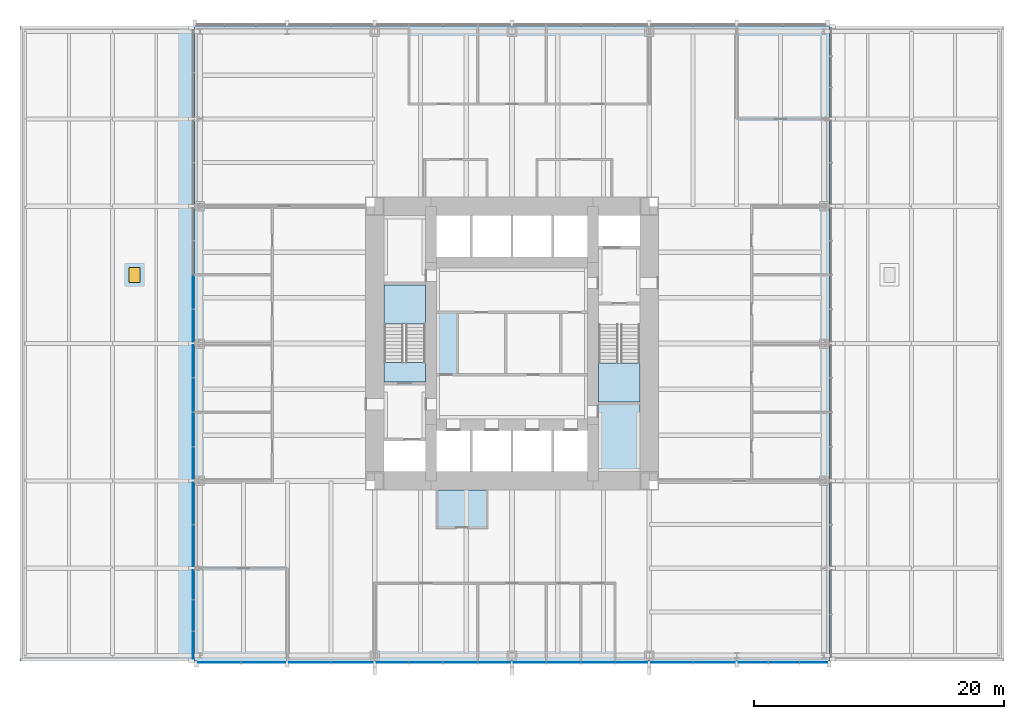
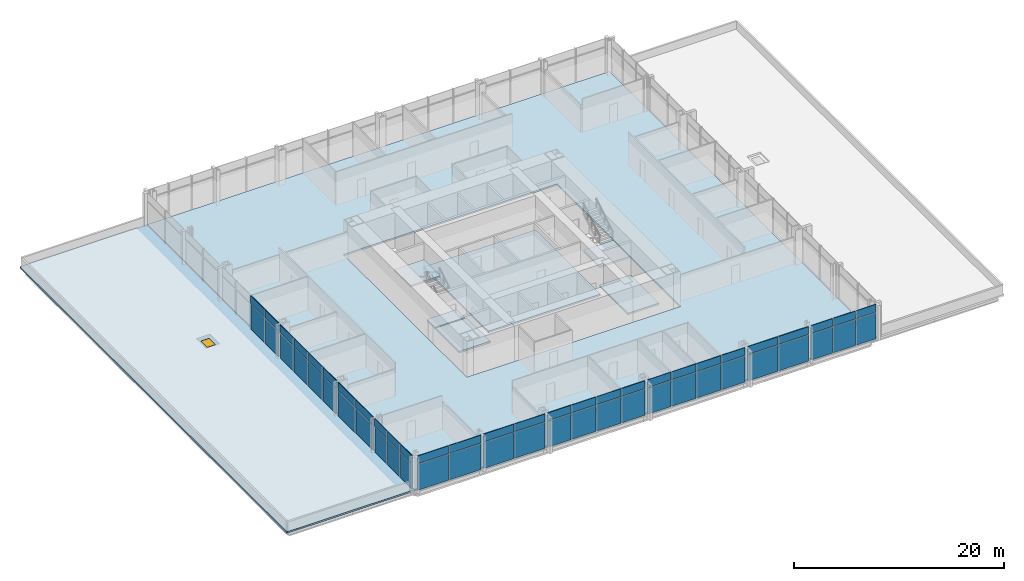
# One storey, part 9 of 15: 56 plates, 8 slabs, 1 window, 1 opening, 4 elements without a shape of their own.
"""IFC4 building model written with IfcOpenShell, lengths in metres."""

from ifc_helpers import new_model, si_unit, direction, frame, origin, origin_2d, place, context, subcontext, project, spatial, polyline, rectangle, outline, extrude, material, layer, layer_set, type_object, element, fill, aggregate, save


model = new_model("IFC4")

# Units and contexts
model_context = context("Model", 3, precision=1e-05, world=origin(), true_north=direction((0.0, 1.0)))
body_context = subcontext(model_context, "Body", "Model", "MODEL_VIEW")
ifc_project = project(units=[si_unit("LENGTHUNIT", "METRE"), si_unit("AREAUNIT", "SQUARE_METRE"), si_unit("VOLUMEUNIT", "CUBIC_METRE"), si_unit("PLANEANGLEUNIT", "RADIAN"), si_unit("MASSUNIT", "GRAM", prefix="KILO")], contexts=[model_context])

# Site, building, storey
site_placement = place(None, origin())
site = spatial("IfcSite", under=ifc_project, at=site_placement, CompositionType="ELEMENT")
building_placement = place(site_placement, origin())
building = spatial("IfcBuilding", under=site, at=building_placement, Name="Trevanion Tower", CompositionType="ELEMENT")
storey_placement = place(building_placement, frame((0.0, 0.0, 16.0)))
storey = spatial("IfcBuildingStorey", under=building, at=storey_placement, Name="L03", CompositionType="ELEMENT", Elevation=16.0)

# Curtain wall, plates
ifc_material_1 = material(Name="Aluminium and glass", Category="aluminium")
curtain_wall_type = type_object("IfcCurtainWallType", Name="CW1 curtain wall", PredefinedType="USERDEFINED", material=ifc_material_1)
curtain_wall_1_placement = place(storey_placement, origin())
curtain_wall_1 = element("IfcCurtainWall", 1, at=curtain_wall_1_placement, inside=storey, type_object=curtain_wall_type, Name="CW1 L03 2", ObjectType="UNITISED CURTAIN WALL", PredefinedType="USERDEFINED")
ifc_material_2 = material(Name="Aluminium spandrel panel", Category="aluminium")
ifc_layer_1 = layer(ifc_material_2, 0.06005859375)
ifc_layer_set_1 = layer_set([ifc_layer_1], Name="CW1 spandrel panel")
plate_type_1 = type_object("IfcPlateType", Name="CW1 spandrel panel", PredefinedType="CURTAIN_PANEL", material=ifc_layer_set_1)
plate_1_placement = place(storey_placement, frame((-25.550048828125, 4.125, 2.997314453125), z_axis=(0.0, 0.0, 1.0), x_axis=(0.0, -1.0, 0.0)))
plate_1 = element("IfcPlate", 2, at=plate_1_placement, type_object=plate_type_1, Name="CW1 panel 7.2", PredefinedType="CURTAIN_PANEL", context=body_context, shape_type="SweptSolid", body=[
    extrude(rectangle(XDim=2.675048828125, YDim=0.06005859375, at=origin_2d()), origin(), (0.0, 0.0, 1.0), 0.91259765625),
])
plate_2_placement = place(storey_placement, frame((-25.550048828125, 1.43115234375, 2.997314453125), z_axis=(0.0, 0.0, 1.0), x_axis=(0.0, -1.0, 0.0)))
plate_2 = element("IfcPlate", 3, at=plate_2_placement, type_object=plate_type_1, Name="CW1 panel 8.2", PredefinedType="CURTAIN_PANEL", context=body_context, shape_type="SweptSolid", body=[
    extrude(rectangle(XDim=2.5625, YDim=0.06005859375, at=origin_2d()), origin(), (0.0, 0.0, 1.0), 0.91259765625),
])
plate_3_placement = place(storey_placement, frame((-25.550048828125, -1.43115234375, 2.997314453125), z_axis=(0.0, 0.0, 1.0), x_axis=(0.0, -1.0, 0.0)))
plate_3 = element("IfcPlate", 4, at=plate_3_placement, type_object=plate_type_1, Name="CW1 panel 9.2", PredefinedType="CURTAIN_PANEL", context=body_context, shape_type="SweptSolid", body=[
    extrude(rectangle(XDim=2.5625, YDim=0.06005859375, at=origin_2d()), origin(), (0.0, 0.0, 1.0), 0.91259765625),
])
plate_4_placement = place(storey_placement, frame((-25.550048828125, -4.125, 2.997314453125), z_axis=(0.0, 0.0, 1.0), x_axis=(0.0, -1.0, 0.0)))
plate_4 = element("IfcPlate", 5, at=plate_4_placement, type_object=plate_type_1, Name="CW1 panel 10.2", PredefinedType="CURTAIN_PANEL", context=body_context, shape_type="SweptSolid", body=[
    extrude(rectangle(XDim=2.675048828125, YDim=0.06005859375, at=origin_2d()), origin(), (0.0, 0.0, 1.0), 0.91259765625),
])
plate_5_placement = place(storey_placement, frame((-25.550048828125, -6.875, 2.997314453125), z_axis=(0.0, 0.0, 1.0), x_axis=(0.0, -1.0, 0.0)))
plate_5 = element("IfcPlate", 6, at=plate_5_placement, type_object=plate_type_1, Name="CW1 panel 11.2", PredefinedType="CURTAIN_PANEL", context=body_context, shape_type="SweptSolid", body=[
    extrude(rectangle(XDim=2.675048828125, YDim=0.06005859375, at=origin_2d()), origin(), (0.0, 0.0, 1.0), 0.91259765625),
])
plate_6_placement = place(storey_placement, frame((-25.550048828125, -9.56884765625, 2.997314453125), z_axis=(0.0, 0.0, 1.0), x_axis=(0.0, -1.0, 0.0)))
plate_6 = element("IfcPlate", 7, at=plate_6_placement, type_object=plate_type_1, Name="CW1 panel 12.2", PredefinedType="CURTAIN_PANEL", context=body_context, shape_type="SweptSolid", body=[
    extrude(rectangle(XDim=2.5625, YDim=0.06005859375, at=origin_2d()), origin(), (0.0, 0.0, 1.0), 0.91259765625),
])
plate_7_placement = place(storey_placement, frame((-25.550048828125, -12.80615234375, 2.997314453125), z_axis=(0.0, 0.0, 1.0), x_axis=(0.0, -1.0, 0.0)))
plate_7 = element("IfcPlate", 8, at=plate_7_placement, type_object=plate_type_1, Name="CW1 panel 13.2", PredefinedType="CURTAIN_PANEL", context=body_context, shape_type="SweptSolid", body=[
    extrude(rectangle(XDim=3.3125, YDim=0.06005859375, at=origin_2d()), origin(), (0.0, 0.0, 1.0), 0.91259765625),
])
plate_8_placement = place(storey_placement, frame((-25.550048828125, -16.19384765625, 2.997314453125), z_axis=(0.0, 0.0, 1.0), x_axis=(0.0, -1.0, 0.0)))
plate_8 = element("IfcPlate", 9, at=plate_8_placement, type_object=plate_type_1, Name="CW1 panel 14.2", PredefinedType="CURTAIN_PANEL", context=body_context, shape_type="SweptSolid", body=[
    extrude(rectangle(XDim=3.3125, YDim=0.06005859375, at=origin_2d()), origin(), (0.0, 0.0, 1.0), 0.91259765625),
])
plate_9_placement = place(storey_placement, frame((-25.550048828125, -19.314697265625, 2.997314453125), z_axis=(0.0, 0.0, 1.0), x_axis=(0.0, -1.0, 0.0)))
plate_9 = element("IfcPlate", 10, at=plate_9_placement, type_object=plate_type_1, Name="CW1 panel 15.2", PredefinedType="CURTAIN_PANEL", context=body_context, shape_type="SweptSolid", body=[
    extrude(rectangle(XDim=2.3291015625, YDim=0.06005859375, at=origin_2d()), origin(), (0.0, 0.0, 1.0), 0.91259765625),
])
plate_10_placement = place(storey_placement, frame((-25.550048828125, -21.77490234375, 2.997314453125), z_axis=(0.0, 0.0, 1.0), x_axis=(0.0, -1.0, 0.0)))
plate_10 = element("IfcPlate", 11, at=plate_10_placement, type_object=plate_type_1, Name="CW1 panel 16.2", PredefinedType="CURTAIN_PANEL", context=body_context, shape_type="SweptSolid", body=[
    extrude(rectangle(XDim=2.441650390625, YDim=0.06005859375, at=origin_2d()), origin(), (0.0, 0.0, 1.0), 0.91259765625),
])
plate_11_placement = place(storey_placement, frame((-25.550048828125, -24.160400390625, 2.997314453125), z_axis=(0.0, 0.0, 1.0), x_axis=(0.0, -1.0, 0.0)))
plate_11 = element("IfcPlate", 12, at=plate_11_placement, type_object=plate_type_1, Name="CW1 panel 17.2", PredefinedType="CURTAIN_PANEL", context=body_context, shape_type="SweptSolid", body=[
    extrude(rectangle(XDim=2.17919921875, YDim=0.06005859375, at=origin_2d()), origin(), (0.0, 0.0, 1.0), 0.91259765625),
])

curtain_wall_2_placement = place(storey_placement, origin())
curtain_wall_2 = element("IfcCurtainWall", 13, at=curtain_wall_2_placement, inside=storey, type_object=curtain_wall_type, Name="CW1 L03 3", ObjectType="UNITISED CURTAIN WALL", PredefinedType="USERDEFINED")
plate_12_placement = place(storey_placement, frame((-23.433837890625, -25.550048828125, 2.997314453125), z_axis=(0.0, 0.0, 1.0), x_axis=(1.0, 0.0, 0.0)))
plate_12 = element("IfcPlate", 14, at=plate_12_placement, type_object=plate_type_1, Name="CW1 panel 1.2", PredefinedType="CURTAIN_PANEL", context=body_context, shape_type="SweptSolid", body=[
    extrude(rectangle(XDim=3.37255859375, YDim=0.06005859375, at=origin_2d()), origin(), (0.0, 0.0, 1.0), 0.91259765625),
])
plate_13_placement = place(storey_placement, frame((-19.911376953125, -25.550048828125, 2.997314453125), z_axis=(0.0, 0.0, 1.0), x_axis=(1.0, 0.0, 0.0)))
plate_13 = element("IfcPlate", 15, at=plate_13_placement, type_object=plate_type_1, Name="CW1 panel 2.2", PredefinedType="CURTAIN_PANEL", context=body_context, shape_type="SweptSolid", body=[
    extrude(rectangle(XDim=3.5224609375, YDim=0.06005859375, at=origin_2d()), origin(), (0.0, 0.0, 1.0), 0.91259765625),
])
plate_14_placement = place(storey_placement, frame((-16.19384765625, -25.550048828125, 2.997314453125), z_axis=(0.0, 0.0, 1.0), x_axis=(1.0, 0.0, 0.0)))
plate_14 = element("IfcPlate", 16, at=plate_14_placement, type_object=plate_type_1, Name="CW1 panel 3.2", PredefinedType="CURTAIN_PANEL", context=body_context, shape_type="SweptSolid", body=[
    extrude(rectangle(XDim=3.3125, YDim=0.06005859375, at=origin_2d()), origin(), (0.0, 0.0, 1.0), 0.91259765625),
])
plate_15_placement = place(storey_placement, frame((-12.806396484375, -25.550048828125, 2.997314453125), z_axis=(0.0, 0.0, 1.0), x_axis=(1.0, 0.0, 0.0)))
plate_15 = element("IfcPlate", 17, at=plate_15_placement, type_object=plate_type_1, Name="CW1 panel 4.2", PredefinedType="CURTAIN_PANEL", context=body_context, shape_type="SweptSolid", body=[
    extrude(rectangle(XDim=3.3125, YDim=0.06005859375, at=origin_2d()), origin(), (0.0, 0.0, 1.0), 0.91259765625),
])
plate_16_placement = place(storey_placement, frame((-9.56884765625, -25.550048828125, 2.997314453125), z_axis=(0.0, 0.0, 1.0), x_axis=(1.0, 0.0, 0.0)))
plate_16 = element("IfcPlate", 18, at=plate_16_placement, type_object=plate_type_1, Name="CW1 panel 5.2", PredefinedType="CURTAIN_PANEL", context=body_context, shape_type="SweptSolid", body=[
    extrude(rectangle(XDim=2.5625, YDim=0.06005859375, at=origin_2d()), origin(), (0.0, 0.0, 1.0), 0.91259765625),
])
plate_17_placement = place(storey_placement, frame((-6.875, -25.550048828125, 2.997314453125), z_axis=(0.0, 0.0, 1.0), x_axis=(1.0, 0.0, 0.0)))
plate_17 = element("IfcPlate", 19, at=plate_17_placement, type_object=plate_type_1, Name="CW1 panel 6.2", PredefinedType="CURTAIN_PANEL", context=body_context, shape_type="SweptSolid", body=[
    extrude(rectangle(XDim=2.675048828125, YDim=0.06005859375, at=origin_2d()), origin(), (0.0, 0.0, 1.0), 0.91259765625),
])
plate_18_placement = place(storey_placement, frame((-4.125, -25.550048828125, 2.997314453125), z_axis=(0.0, 0.0, 1.0), x_axis=(1.0, 0.0, 0.0)))
plate_18 = element("IfcPlate", 20, at=plate_18_placement, type_object=plate_type_1, Name="CW1 panel 7.2", PredefinedType="CURTAIN_PANEL", context=body_context, shape_type="SweptSolid", body=[
    extrude(rectangle(XDim=2.675048828125, YDim=0.06005859375, at=origin_2d()), origin(), (0.0, 0.0, 1.0), 0.91259765625),
])
plate_19_placement = place(storey_placement, frame((-1.43115234375, -25.550048828125, 2.997314453125), z_axis=(0.0, 0.0, 1.0), x_axis=(1.0, 0.0, 0.0)))
plate_19 = element("IfcPlate", 21, at=plate_19_placement, type_object=plate_type_1, Name="CW1 panel 8.2", PredefinedType="CURTAIN_PANEL", context=body_context, shape_type="SweptSolid", body=[
    extrude(rectangle(XDim=2.5625, YDim=0.06005859375, at=origin_2d()), origin(), (0.0, 0.0, 1.0), 0.91259765625),
])
plate_20_placement = place(storey_placement, frame((1.43115234375, -25.550048828125, 2.997314453125), z_axis=(0.0, 0.0, 1.0), x_axis=(1.0, 0.0, 0.0)))
plate_20 = element("IfcPlate", 22, at=plate_20_placement, type_object=plate_type_1, Name="CW1 panel 9.2", PredefinedType="CURTAIN_PANEL", context=body_context, shape_type="SweptSolid", body=[
    extrude(rectangle(XDim=2.5625, YDim=0.06005859375, at=origin_2d()), origin(), (0.0, 0.0, 1.0), 0.91259765625),
])
plate_21_placement = place(storey_placement, frame((4.125, -25.550048828125, 2.997314453125), z_axis=(0.0, 0.0, 1.0), x_axis=(1.0, 0.0, 0.0)))
plate_21 = element("IfcPlate", 23, at=plate_21_placement, type_object=plate_type_1, Name="CW1 panel 10.2", PredefinedType="CURTAIN_PANEL", context=body_context, shape_type="SweptSolid", body=[
    extrude(rectangle(XDim=2.675048828125, YDim=0.06005859375, at=origin_2d()), origin(), (0.0, 0.0, 1.0), 0.91259765625),
])
plate_22_placement = place(storey_placement, frame((6.875, -25.550048828125, 2.997314453125), z_axis=(0.0, 0.0, 1.0), x_axis=(1.0, 0.0, 0.0)))
plate_22 = element("IfcPlate", 24, at=plate_22_placement, type_object=plate_type_1, Name="CW1 panel 11.2", PredefinedType="CURTAIN_PANEL", context=body_context, shape_type="SweptSolid", body=[
    extrude(rectangle(XDim=2.675048828125, YDim=0.06005859375, at=origin_2d()), origin(), (0.0, 0.0, 1.0), 0.91259765625),
])
plate_23_placement = place(storey_placement, frame((9.56884765625, -25.550048828125, 2.997314453125), z_axis=(0.0, 0.0, 1.0), x_axis=(1.0, 0.0, 0.0)))
plate_23 = element("IfcPlate", 25, at=plate_23_placement, type_object=plate_type_1, Name="CW1 panel 12.2", PredefinedType="CURTAIN_PANEL", context=body_context, shape_type="SweptSolid", body=[
    extrude(rectangle(XDim=2.5625, YDim=0.06005859375, at=origin_2d()), origin(), (0.0, 0.0, 1.0), 0.91259765625),
])
plate_24_placement = place(storey_placement, frame((12.80615234375, -25.550048828125, 2.997314453125), z_axis=(0.0, 0.0, 1.0), x_axis=(1.0, 0.0, 0.0)))
plate_24 = element("IfcPlate", 26, at=plate_24_placement, type_object=plate_type_1, Name="CW1 panel 13.2", PredefinedType="CURTAIN_PANEL", context=body_context, shape_type="SweptSolid", body=[
    extrude(rectangle(XDim=3.3125, YDim=0.06005859375, at=origin_2d()), origin(), (0.0, 0.0, 1.0), 0.91259765625),
])
plate_25_placement = place(storey_placement, frame((16.19384765625, -25.550048828125, 2.997314453125), z_axis=(0.0, 0.0, 1.0), x_axis=(1.0, 0.0, 0.0)))
plate_25 = element("IfcPlate", 27, at=plate_25_placement, type_object=plate_type_1, Name="CW1 panel 14.2", PredefinedType="CURTAIN_PANEL", context=body_context, shape_type="SweptSolid", body=[
    extrude(rectangle(XDim=3.3125, YDim=0.06005859375, at=origin_2d()), origin(), (0.0, 0.0, 1.0), 0.91259765625),
])
plate_26_placement = place(storey_placement, frame((19.314697265625, -25.550048828125, 2.997314453125), z_axis=(0.0, 0.0, 1.0), x_axis=(1.0, 0.0, 0.0)))
plate_26 = element("IfcPlate", 28, at=plate_26_placement, type_object=plate_type_1, Name="CW1 panel 15.2", PredefinedType="CURTAIN_PANEL", context=body_context, shape_type="SweptSolid", body=[
    extrude(rectangle(XDim=2.3291015625, YDim=0.06005859375, at=origin_2d()), origin(), (0.0, 0.0, 1.0), 0.91259765625),
])
plate_27_placement = place(storey_placement, frame((21.77490234375, -25.550048828125, 2.997314453125), z_axis=(0.0, 0.0, 1.0), x_axis=(1.0, 0.0, 0.0)))
plate_27 = element("IfcPlate", 29, at=plate_27_placement, type_object=plate_type_1, Name="CW1 panel 16.2", PredefinedType="CURTAIN_PANEL", context=body_context, shape_type="SweptSolid", body=[
    extrude(rectangle(XDim=2.441650390625, YDim=0.06005859375, at=origin_2d()), origin(), (0.0, 0.0, 1.0), 0.91259765625),
])
plate_28_placement = place(storey_placement, frame((24.160400390625, -25.550048828125, 2.997314453125), z_axis=(0.0, 0.0, 1.0), x_axis=(1.0, 0.0, 0.0)))
plate_28 = element("IfcPlate", 30, at=plate_28_placement, type_object=plate_type_1, Name="CW1 panel 17.2", PredefinedType="CURTAIN_PANEL", context=body_context, shape_type="SweptSolid", body=[
    extrude(rectangle(XDim=2.17919921875, YDim=0.06005859375, at=origin_2d()), origin(), (0.0, 0.0, 1.0), 0.91259765625),
])

# Plate
ifc_material_3 = material(Name="Insulating glass unit", Category="glass")
ifc_layer_2 = layer(ifc_material_3, 0.028076171875)
ifc_layer_set_2 = layer_set([ifc_layer_2], Name="CW1 vision panel")
plate_type_2 = type_object("IfcPlateType", Name="CW1 vision panel", PredefinedType="CURTAIN_PANEL", material=ifc_layer_set_2)
plate_29_placement = place(storey_placement, frame((-25.550048828125, 4.125, -0.114990234375), z_axis=(0.0, 0.0, 1.0), x_axis=(0.0, -1.0, 0.0)))
plate_29 = element("IfcPlate", 31, at=plate_29_placement, type_object=plate_type_2, Name="CW1 panel 7.1", PredefinedType="CURTAIN_PANEL", context=body_context, shape_type="SweptSolid", body=[
    extrude(rectangle(XDim=2.675048828125, YDim=0.028076171875, at=origin_2d()), origin(), (0.0, 0.0, 1.0), 3.03759765625),
])

plate_30_placement = place(storey_placement, frame((-25.550048828125, 1.43115234375, -0.114990234375), z_axis=(0.0, 0.0, 1.0), x_axis=(0.0, -1.0, 0.0)))
plate_30 = element("IfcPlate", 32, at=plate_30_placement, type_object=plate_type_2, Name="CW1 panel 8.1", PredefinedType="CURTAIN_PANEL", context=body_context, shape_type="SweptSolid", body=[
    extrude(rectangle(XDim=2.5625, YDim=0.028076171875, at=origin_2d()), origin(), (0.0, 0.0, 1.0), 3.03759765625),
])

plate_31_placement = place(storey_placement, frame((-25.550048828125, -1.43115234375, -0.114990234375), z_axis=(0.0, 0.0, 1.0), x_axis=(0.0, -1.0, 0.0)))
plate_31 = element("IfcPlate", 33, at=plate_31_placement, type_object=plate_type_2, Name="CW1 panel 9.1", PredefinedType="CURTAIN_PANEL", context=body_context, shape_type="SweptSolid", body=[
    extrude(rectangle(XDim=2.5625, YDim=0.028076171875, at=origin_2d()), origin(), (0.0, 0.0, 1.0), 3.03759765625),
])

plate_32_placement = place(storey_placement, frame((-25.550048828125, -4.125, -0.114990234375), z_axis=(0.0, 0.0, 1.0), x_axis=(0.0, -1.0, 0.0)))
plate_32 = element("IfcPlate", 34, at=plate_32_placement, type_object=plate_type_2, Name="CW1 panel 10.1", PredefinedType="CURTAIN_PANEL", context=body_context, shape_type="SweptSolid", body=[
    extrude(rectangle(XDim=2.675048828125, YDim=0.028076171875, at=origin_2d()), origin(), (0.0, 0.0, 1.0), 3.03759765625),
])

plate_33_placement = place(storey_placement, frame((-25.550048828125, -6.875, -0.114990234375), z_axis=(0.0, 0.0, 1.0), x_axis=(0.0, -1.0, 0.0)))
plate_33 = element("IfcPlate", 35, at=plate_33_placement, type_object=plate_type_2, Name="CW1 panel 11.1", PredefinedType="CURTAIN_PANEL", context=body_context, shape_type="SweptSolid", body=[
    extrude(rectangle(XDim=2.675048828125, YDim=0.028076171875, at=origin_2d()), origin(), (0.0, 0.0, 1.0), 3.03759765625),
])

plate_34_placement = place(storey_placement, frame((-25.550048828125, -9.56884765625, -0.114990234375), z_axis=(0.0, 0.0, 1.0), x_axis=(0.0, -1.0, 0.0)))
plate_34 = element("IfcPlate", 36, at=plate_34_placement, type_object=plate_type_2, Name="CW1 panel 12.1", PredefinedType="CURTAIN_PANEL", context=body_context, shape_type="SweptSolid", body=[
    extrude(rectangle(XDim=2.5625, YDim=0.028076171875, at=origin_2d()), origin(), (0.0, 0.0, 1.0), 3.03759765625),
])

plate_35_placement = place(storey_placement, frame((-25.550048828125, -12.80615234375, -0.114990234375), z_axis=(0.0, 0.0, 1.0), x_axis=(0.0, -1.0, 0.0)))
plate_35 = element("IfcPlate", 37, at=plate_35_placement, type_object=plate_type_2, Name="CW1 panel 13.1", PredefinedType="CURTAIN_PANEL", context=body_context, shape_type="SweptSolid", body=[
    extrude(rectangle(XDim=3.3125, YDim=0.028076171875, at=origin_2d()), origin(), (0.0, 0.0, 1.0), 3.03759765625),
])

plate_36_placement = place(storey_placement, frame((-25.550048828125, -16.19384765625, -0.114990234375), z_axis=(0.0, 0.0, 1.0), x_axis=(0.0, -1.0, 0.0)))
plate_36 = element("IfcPlate", 38, at=plate_36_placement, type_object=plate_type_2, Name="CW1 panel 14.1", PredefinedType="CURTAIN_PANEL", context=body_context, shape_type="SweptSolid", body=[
    extrude(rectangle(XDim=3.3125, YDim=0.028076171875, at=origin_2d()), origin(), (0.0, 0.0, 1.0), 3.03759765625),
])

plate_37_placement = place(storey_placement, frame((-25.550048828125, -19.314697265625, -0.114990234375), z_axis=(0.0, 0.0, 1.0), x_axis=(0.0, -1.0, 0.0)))
plate_37 = element("IfcPlate", 39, at=plate_37_placement, type_object=plate_type_2, Name="CW1 panel 15.1", PredefinedType="CURTAIN_PANEL", context=body_context, shape_type="SweptSolid", body=[
    extrude(rectangle(XDim=2.3291015625, YDim=0.028076171875, at=origin_2d()), origin(), (0.0, 0.0, 1.0), 3.03759765625),
])

plate_38_placement = place(storey_placement, frame((-25.550048828125, -21.77490234375, -0.114990234375), z_axis=(0.0, 0.0, 1.0), x_axis=(0.0, -1.0, 0.0)))
plate_38 = element("IfcPlate", 40, at=plate_38_placement, type_object=plate_type_2, Name="CW1 panel 16.1", PredefinedType="CURTAIN_PANEL", context=body_context, shape_type="SweptSolid", body=[
    extrude(rectangle(XDim=2.441650390625, YDim=0.028076171875, at=origin_2d()), origin(), (0.0, 0.0, 1.0), 3.03759765625),
])

plate_39_placement = place(storey_placement, frame((-25.550048828125, -24.160400390625, -0.114990234375), z_axis=(0.0, 0.0, 1.0), x_axis=(0.0, -1.0, 0.0)))
plate_39 = element("IfcPlate", 41, at=plate_39_placement, type_object=plate_type_2, Name="CW1 panel 17.1", PredefinedType="CURTAIN_PANEL", context=body_context, shape_type="SweptSolid", body=[
    extrude(rectangle(XDim=2.17919921875, YDim=0.028076171875, at=origin_2d()), origin(), (0.0, 0.0, 1.0), 3.03759765625),
])

aggregate(curtain_wall_1, [plate_29, plate_1, plate_30, plate_2, plate_31, plate_3, plate_32, plate_4, plate_33, plate_5, plate_34, plate_6, plate_35, plate_7, plate_36, plate_8, plate_37, plate_9, plate_38, plate_10, plate_39, plate_11])

plate_40_placement = place(storey_placement, frame((-23.433837890625, -25.550048828125, -0.114990234375), z_axis=(0.0, 0.0, 1.0), x_axis=(1.0, 0.0, 0.0)))
plate_40 = element("IfcPlate", 42, at=plate_40_placement, type_object=plate_type_2, Name="CW1 panel 1.1", PredefinedType="CURTAIN_PANEL", context=body_context, shape_type="SweptSolid", body=[
    extrude(rectangle(XDim=3.37255859375, YDim=0.028076171875, at=origin_2d()), origin(), (0.0, 0.0, 1.0), 3.03759765625),
])

plate_41_placement = place(storey_placement, frame((-19.911376953125, -25.550048828125, -0.114990234375), z_axis=(0.0, 0.0, 1.0), x_axis=(1.0, 0.0, 0.0)))
plate_41 = element("IfcPlate", 43, at=plate_41_placement, type_object=plate_type_2, Name="CW1 panel 2.1", PredefinedType="CURTAIN_PANEL", context=body_context, shape_type="SweptSolid", body=[
    extrude(rectangle(XDim=3.5224609375, YDim=0.028076171875, at=origin_2d()), origin(), (0.0, 0.0, 1.0), 3.03759765625),
])

plate_42_placement = place(storey_placement, frame((-16.19384765625, -25.550048828125, -0.114990234375), z_axis=(0.0, 0.0, 1.0), x_axis=(1.0, 0.0, 0.0)))
plate_42 = element("IfcPlate", 44, at=plate_42_placement, type_object=plate_type_2, Name="CW1 panel 3.1", PredefinedType="CURTAIN_PANEL", context=body_context, shape_type="SweptSolid", body=[
    extrude(rectangle(XDim=3.3125, YDim=0.028076171875, at=origin_2d()), origin(), (0.0, 0.0, 1.0), 3.03759765625),
])

plate_43_placement = place(storey_placement, frame((-12.806396484375, -25.550048828125, -0.114990234375), z_axis=(0.0, 0.0, 1.0), x_axis=(1.0, 0.0, 0.0)))
plate_43 = element("IfcPlate", 45, at=plate_43_placement, type_object=plate_type_2, Name="CW1 panel 4.1", PredefinedType="CURTAIN_PANEL", context=body_context, shape_type="SweptSolid", body=[
    extrude(rectangle(XDim=3.3125, YDim=0.028076171875, at=origin_2d()), origin(), (0.0, 0.0, 1.0), 3.03759765625),
])

plate_44_placement = place(storey_placement, frame((-9.56884765625, -25.550048828125, -0.114990234375), z_axis=(0.0, 0.0, 1.0), x_axis=(1.0, 0.0, 0.0)))
plate_44 = element("IfcPlate", 46, at=plate_44_placement, type_object=plate_type_2, Name="CW1 panel 5.1", PredefinedType="CURTAIN_PANEL", context=body_context, shape_type="SweptSolid", body=[
    extrude(rectangle(XDim=2.5625, YDim=0.028076171875, at=origin_2d()), origin(), (0.0, 0.0, 1.0), 3.03759765625),
])

plate_45_placement = place(storey_placement, frame((-6.875, -25.550048828125, -0.114990234375), z_axis=(0.0, 0.0, 1.0), x_axis=(1.0, 0.0, 0.0)))
plate_45 = element("IfcPlate", 47, at=plate_45_placement, type_object=plate_type_2, Name="CW1 panel 6.1", PredefinedType="CURTAIN_PANEL", context=body_context, shape_type="SweptSolid", body=[
    extrude(rectangle(XDim=2.675048828125, YDim=0.028076171875, at=origin_2d()), origin(), (0.0, 0.0, 1.0), 3.03759765625),
])

plate_46_placement = place(storey_placement, frame((-4.125, -25.550048828125, -0.114990234375), z_axis=(0.0, 0.0, 1.0), x_axis=(1.0, 0.0, 0.0)))
plate_46 = element("IfcPlate", 48, at=plate_46_placement, type_object=plate_type_2, Name="CW1 panel 7.1", PredefinedType="CURTAIN_PANEL", context=body_context, shape_type="SweptSolid", body=[
    extrude(rectangle(XDim=2.675048828125, YDim=0.028076171875, at=origin_2d()), origin(), (0.0, 0.0, 1.0), 3.03759765625),
])

plate_47_placement = place(storey_placement, frame((-1.43115234375, -25.550048828125, -0.114990234375), z_axis=(0.0, 0.0, 1.0), x_axis=(1.0, 0.0, 0.0)))
plate_47 = element("IfcPlate", 49, at=plate_47_placement, type_object=plate_type_2, Name="CW1 panel 8.1", PredefinedType="CURTAIN_PANEL", context=body_context, shape_type="SweptSolid", body=[
    extrude(rectangle(XDim=2.5625, YDim=0.028076171875, at=origin_2d()), origin(), (0.0, 0.0, 1.0), 3.03759765625),
])

plate_48_placement = place(storey_placement, frame((1.43115234375, -25.550048828125, -0.114990234375), z_axis=(0.0, 0.0, 1.0), x_axis=(1.0, 0.0, 0.0)))
plate_48 = element("IfcPlate", 50, at=plate_48_placement, type_object=plate_type_2, Name="CW1 panel 9.1", PredefinedType="CURTAIN_PANEL", context=body_context, shape_type="SweptSolid", body=[
    extrude(rectangle(XDim=2.5625, YDim=0.028076171875, at=origin_2d()), origin(), (0.0, 0.0, 1.0), 3.03759765625),
])

plate_49_placement = place(storey_placement, frame((4.125, -25.550048828125, -0.114990234375), z_axis=(0.0, 0.0, 1.0), x_axis=(1.0, 0.0, 0.0)))
plate_49 = element("IfcPlate", 51, at=plate_49_placement, type_object=plate_type_2, Name="CW1 panel 10.1", PredefinedType="CURTAIN_PANEL", context=body_context, shape_type="SweptSolid", body=[
    extrude(rectangle(XDim=2.675048828125, YDim=0.028076171875, at=origin_2d()), origin(), (0.0, 0.0, 1.0), 3.03759765625),
])

plate_50_placement = place(storey_placement, frame((6.875, -25.550048828125, -0.114990234375), z_axis=(0.0, 0.0, 1.0), x_axis=(1.0, 0.0, 0.0)))
plate_50 = element("IfcPlate", 52, at=plate_50_placement, type_object=plate_type_2, Name="CW1 panel 11.1", PredefinedType="CURTAIN_PANEL", context=body_context, shape_type="SweptSolid", body=[
    extrude(rectangle(XDim=2.675048828125, YDim=0.028076171875, at=origin_2d()), origin(), (0.0, 0.0, 1.0), 3.03759765625),
])

plate_51_placement = place(storey_placement, frame((9.56884765625, -25.550048828125, -0.114990234375), z_axis=(0.0, 0.0, 1.0), x_axis=(1.0, 0.0, 0.0)))
plate_51 = element("IfcPlate", 53, at=plate_51_placement, type_object=plate_type_2, Name="CW1 panel 12.1", PredefinedType="CURTAIN_PANEL", context=body_context, shape_type="SweptSolid", body=[
    extrude(rectangle(XDim=2.5625, YDim=0.028076171875, at=origin_2d()), origin(), (0.0, 0.0, 1.0), 3.03759765625),
])

plate_52_placement = place(storey_placement, frame((12.80615234375, -25.550048828125, -0.114990234375), z_axis=(0.0, 0.0, 1.0), x_axis=(1.0, 0.0, 0.0)))
plate_52 = element("IfcPlate", 54, at=plate_52_placement, type_object=plate_type_2, Name="CW1 panel 13.1", PredefinedType="CURTAIN_PANEL", context=body_context, shape_type="SweptSolid", body=[
    extrude(rectangle(XDim=3.3125, YDim=0.028076171875, at=origin_2d()), origin(), (0.0, 0.0, 1.0), 3.03759765625),
])

plate_53_placement = place(storey_placement, frame((16.19384765625, -25.550048828125, -0.114990234375), z_axis=(0.0, 0.0, 1.0), x_axis=(1.0, 0.0, 0.0)))
plate_53 = element("IfcPlate", 55, at=plate_53_placement, type_object=plate_type_2, Name="CW1 panel 14.1", PredefinedType="CURTAIN_PANEL", context=body_context, shape_type="SweptSolid", body=[
    extrude(rectangle(XDim=3.3125, YDim=0.028076171875, at=origin_2d()), origin(), (0.0, 0.0, 1.0), 3.03759765625),
])

plate_54_placement = place(storey_placement, frame((19.314697265625, -25.550048828125, -0.114990234375), z_axis=(0.0, 0.0, 1.0), x_axis=(1.0, 0.0, 0.0)))
plate_54 = element("IfcPlate", 56, at=plate_54_placement, type_object=plate_type_2, Name="CW1 panel 15.1", PredefinedType="CURTAIN_PANEL", context=body_context, shape_type="SweptSolid", body=[
    extrude(rectangle(XDim=2.3291015625, YDim=0.028076171875, at=origin_2d()), origin(), (0.0, 0.0, 1.0), 3.03759765625),
])

plate_55_placement = place(storey_placement, frame((21.77490234375, -25.550048828125, -0.114990234375), z_axis=(0.0, 0.0, 1.0), x_axis=(1.0, 0.0, 0.0)))
plate_55 = element("IfcPlate", 57, at=plate_55_placement, type_object=plate_type_2, Name="CW1 panel 16.1", PredefinedType="CURTAIN_PANEL", context=body_context, shape_type="SweptSolid", body=[
    extrude(rectangle(XDim=2.441650390625, YDim=0.028076171875, at=origin_2d()), origin(), (0.0, 0.0, 1.0), 3.03759765625),
])

plate_56_placement = place(storey_placement, frame((24.160400390625, -25.550048828125, -0.114990234375), z_axis=(0.0, 0.0, 1.0), x_axis=(1.0, 0.0, 0.0)))
plate_56 = element("IfcPlate", 58, at=plate_56_placement, type_object=plate_type_2, Name="CW1 panel 17.1", PredefinedType="CURTAIN_PANEL", context=body_context, shape_type="SweptSolid", body=[
    extrude(rectangle(XDim=2.17919921875, YDim=0.028076171875, at=origin_2d()), origin(), (0.0, 0.0, 1.0), 3.03759765625),
])

aggregate(curtain_wall_2, [plate_40, plate_12, plate_41, plate_13, plate_42, plate_14, plate_43, plate_15, plate_44, plate_16, plate_45, plate_17, plate_46, plate_18, plate_47, plate_19, plate_48, plate_20, plate_49, plate_21, plate_50, plate_22, plate_51, plate_23, plate_52, plate_24, plate_53, plate_25, plate_54, plate_26, plate_55, plate_27, plate_56, plate_28])

# Slab, opening, window
ifc_material_4 = material(Name="Concrete 5,000 psi on composite metal deck", Category="concrete")
ifc_layer_3 = layer(ifc_material_4, 0.18994140625)
ifc_layer_set_3 = layer_set([ifc_layer_3], Name="RS1 composite roof 190")
slab_type_1 = type_object("IfcSlabType", Name="RS1 composite roof 190", PredefinedType="ROOF", material=ifc_layer_set_3)
slab_1_placement = place(storey_placement, frame((0.0, 0.0, -0.18994140625)))
slab_1 = element("IfcSlab", 59, at=slab_1_placement, inside=storey, type_object=slab_type_1, Name="RS1 podium roof west", PredefinedType="ROOF", context=body_context, shape_type="SweptSolid", body=[
    extrude(outline(polyline([(-25.419921875, 25.419921875), (-39.419921875, 25.419921875), (-39.419921875, -25.419921875), (-25.419921875, -25.419921875), (-25.419921875, 25.419921875)])), origin(), (0.0, 0.0, 1.0), 0.18994140625),
])
opening_placement = place(slab_1_placement, frame((-30.25, 5.5, 0.0)))
opening = element("IfcOpeningElement", 60, at=opening_placement, cuts=slab_1, Name="Opening RH1", PredefinedType="OPENING", context=body_context, shape_type="SweptSolid", body=[
    extrude(rectangle(XDim=0.89990234375, YDim=1.199951171875, at=origin_2d()), origin(), (0.0, 0.0, 1.0), 0.18994140625),
])
ifc_material_5 = material(Name="Galvanised steel, insulated", Category="steel")
window_type = type_object("IfcWindowType", Name="RH1 roof access hatch 900x1200", PartitioningType="SINGLE_PANEL", PredefinedType="SKYLIGHT", material=ifc_material_5)
window_placement = place(opening_placement, frame((0.0, 0.0, 0.139892578125)))
window = element("IfcWindow", 61, at=window_placement, inside=storey, type_object=window_type, Name="RH1 L03", OverallHeight=1.199951171875, OverallWidth=0.89990234375, PartitioningType="SINGLE_PANEL", PredefinedType="SKYLIGHT", context=body_context, shape_type="SweptSolid", body=[
    extrude(rectangle(XDim=0.89990234375, YDim=1.199951171875, at=origin_2d()), origin(), (0.0, 0.0, 1.0), 0.050048828125),
])
fill(opening, window)

# Slabs
ifc_material_6 = material(Name="Concrete 5,000 psi on composite metal deck", Category="concrete")
ifc_layer_4 = layer(ifc_material_6, 0.18994140625)
ifc_layer_set_4 = layer_set([ifc_layer_4], Name="SL1 composite floor 190")
slab_type_2 = type_object("IfcSlabType", Name="SL1 composite floor 190", PredefinedType="FLOOR", material=ifc_layer_set_4)
slab_2_placement = place(storey_placement, frame((0.0, 0.0, -0.18994140625)))
element("IfcSlab", 62, at=slab_2_placement, inside=storey, type_object=slab_type_2, Name="SL1 L03 floor", PredefinedType="FLOOR", context=body_context, shape_type="SweptSolid", body=[
    extrude(outline(polyline([(25.419921875, -25.419921875), (25.419921875, 25.419921875), (-25.419921875, 25.419921875), (-25.419921875, -25.419921875), (25.419921875, -25.419921875)]), holes=[polyline([(11.75, -11.75), (11.75, 11.75), (-11.75, 11.75), (-11.75, -11.75), (11.75, -11.75)])]), origin(), (0.0, 0.0, 1.0), 0.18994140625),
])
ifc_material_7 = material(Name="Concrete 5,000 psi", Category="concrete")
ifc_layer_5 = layer(ifc_material_7, 0.199951171875)
ifc_layer_set_5 = layer_set([ifc_layer_5], Name="SL2 core floor 200")
slab_type_3 = type_object("IfcSlabType", Name="SL2 core floor 200", PredefinedType="FLOOR", material=ifc_layer_set_5)
slab_3_placement = place(storey_placement, frame((0.0, 0.0, -0.199951171875)))
element("IfcSlab", 63, at=slab_3_placement, inside=storey, type_object=slab_type_3, Name="SL2 L03 core floor 1", PredefinedType="FLOOR", context=body_context, shape_type="SweptSolid", body=[
    extrude(outline(polyline([(10.25, -4.804931640625), (10.25, -10.25), (6.830078125, -10.25), (6.830078125, -4.804931640625), (10.25, -4.804931640625)])), origin(), (0.0, 0.0, 1.0), 0.199951171875),
])
slab_4_placement = place(storey_placement, frame((0.0, 0.0, -0.199951171875)))
element("IfcSlab", 64, at=slab_4_placement, inside=storey, type_object=slab_type_3, Name="SL2 L03 core floor 2", PredefinedType="FLOOR", context=body_context, shape_type="SweptSolid", body=[
    extrude(outline(polyline([(-6.830078125, -3.205078125), (-6.830078125, -7.695068359375), (-10.25, -7.695068359375), (-10.25, -3.205078125), (-6.830078125, -3.205078125)])), origin(), (0.0, 0.0, 1.0), 0.199951171875),
])
slab_5_placement = place(storey_placement, frame((0.0, 0.0, -0.199951171875)))
element("IfcSlab", 65, at=slab_5_placement, inside=storey, type_object=slab_type_3, Name="SL2 L03 core floor 3", PredefinedType="FLOOR", context=body_context, shape_type="SweptSolid", body=[
    extrude(outline(polyline([(6.169921875, -6.169921875), (-6.169921875, -6.169921875), (-6.169921875, 6.169921875), (6.169921875, 6.169921875), (6.169921875, -6.169921875)])), origin(), (0.0, 0.0, 1.0), 0.199951171875),
])

# Stair, slab
ifc_material_8 = material(Name="Concrete 5,000 psi on steel stringers", Category="concrete")
stair_type = type_object("IfcStairType", Name="ST stair", PredefinedType="HALF_TURN_STAIR", material=ifc_material_8)
stair_1_placement = place(storey_placement, origin())
stair_1 = element("IfcStair", 66, at=stair_1_placement, inside=storey, type_object=stair_type, Name="ST1 L03", PredefinedType="HALF_TURN_STAIR")
ifc_material_9 = material(Name="Concrete 5,000 psi in steel pan", Category="concrete")
ifc_layer_6 = layer(ifc_material_9, 0.199951171875)
ifc_layer_set_6 = layer_set([ifc_layer_6], Name="STL stair landing 200")
slab_type_4 = type_object("IfcSlabType", Name="STL stair landing 200", PredefinedType="LANDING", material=ifc_layer_set_6)
slab_6_placement = place(storey_placement, frame((0.0, 0.0, 1.85009765625)))
slab_6 = element("IfcSlab", 67, at=slab_6_placement, type_object=slab_type_4, Name="ST1 landing 2", PredefinedType="LANDING", context=body_context, shape_type="SweptSolid", body=[
    extrude(outline(polyline([(6.949951171875, -4.675048828125), (10.25, -4.675048828125), (10.25, -1.554931640625), (6.949951171875, -1.554931640625), (6.949951171875, -4.675048828125)])), origin(), (0.0, 0.0, 1.0), 0.199951171875),
])
aggregate(stair_1, [slab_6])

# Stair, slabs
stair_2_placement = place(storey_placement, origin())
stair_2 = element("IfcStair", 68, at=stair_2_placement, inside=storey, type_object=stair_type, Name="ST2 L03", PredefinedType="HALF_TURN_STAIR")
slab_7_placement = place(storey_placement, frame((0.0, 0.0, -0.199951171875)))
slab_7 = element("IfcSlab", 69, at=slab_7_placement, type_object=slab_type_4, Name="ST2 landing 1", PredefinedType="LANDING", context=body_context, shape_type="SweptSolid", body=[
    extrude(outline(polyline([(-6.949951171875, -1.52490234375), (-10.25, -1.52490234375), (-10.25, -3.074951171875), (-6.949951171875, -3.074951171875), (-6.949951171875, -1.52490234375)])), origin(), (0.0, 0.0, 1.0), 0.199951171875),
])
slab_8_placement = place(storey_placement, frame((0.0, 0.0, 1.85009765625)))
slab_8 = element("IfcSlab", 70, at=slab_8_placement, type_object=slab_type_4, Name="ST2 landing 2", PredefinedType="LANDING", context=body_context, shape_type="SweptSolid", body=[
    extrude(outline(polyline([(-6.949951171875, 4.675048828125), (-10.25, 4.675048828125), (-10.25, 1.554931640625), (-6.949951171875, 1.554931640625), (-6.949951171875, 4.675048828125)])), origin(), (0.0, 0.0, 1.0), 0.199951171875),
])
aggregate(stair_2, [slab_7, slab_8])

save(model, "model.ifc")
